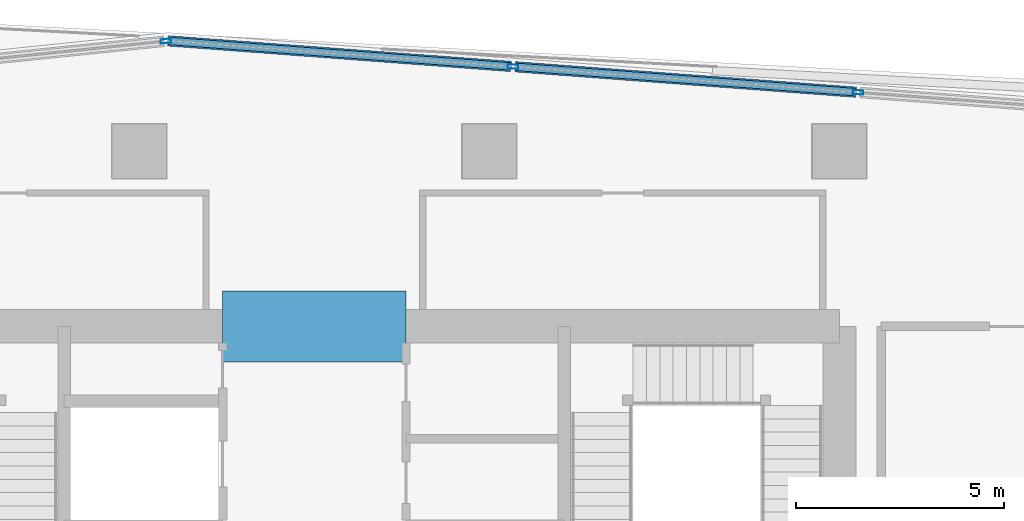
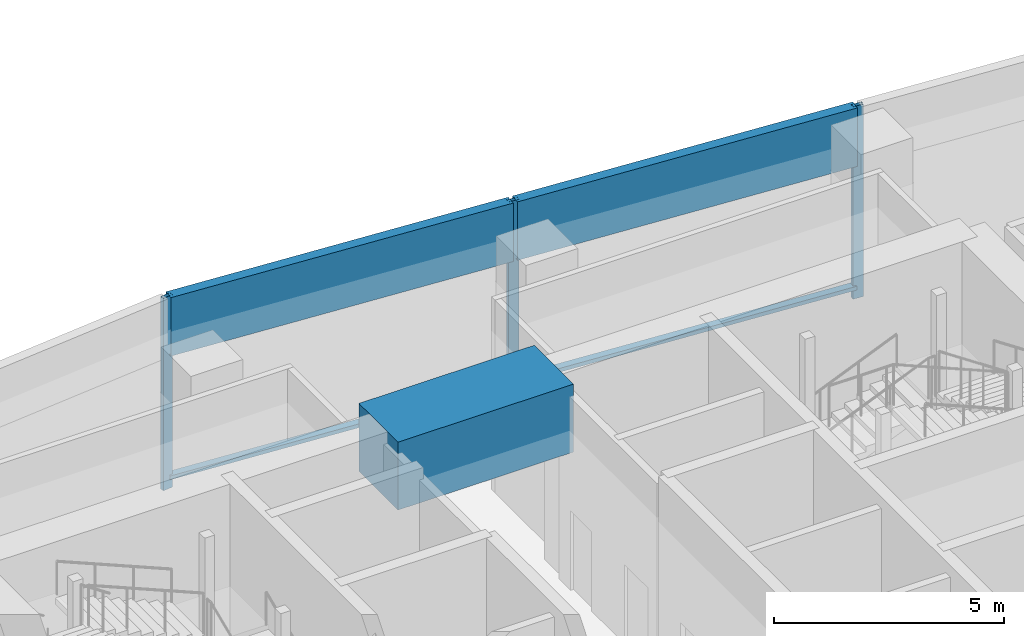
# One storey, part 9 of 22: 7 members, 1 beam, 2 elements without a shape of their own.
"""IFC4 building model written with IfcOpenShell, lengths in metres."""

from ifc_helpers import new_model, si_unit, direction, frame, origin, origin_2d, place, context, subcontext, project, spatial, rectangle, hollow_rectangle, extrude, material, material_profile, profile_set, type_object, element, aggregate, save


model = new_model("IFC4")

# Units and contexts
model_context = context("Model", 3, precision=1e-05, world=origin(), true_north=direction((0.0, 1.0)))
body_context = subcontext(model_context, "Body", "Model", "MODEL_VIEW")
ifc_project = project(units=[si_unit("LENGTHUNIT", "METRE"), si_unit("AREAUNIT", "SQUARE_METRE"), si_unit("VOLUMEUNIT", "CUBIC_METRE"), si_unit("PLANEANGLEUNIT", "RADIAN"), si_unit("MASSUNIT", "GRAM", prefix="KILO")], contexts=[model_context])

# Site, building, storey
site_placement = place(None, origin())
site = spatial("IfcSite", under=ifc_project, at=site_placement, CompositionType="ELEMENT")
building_placement = place(site_placement, origin())
building = spatial("IfcBuilding", under=site, at=building_placement, Name="Rekha Terrace Tower", CompositionType="ELEMENT")
storey_placement = place(building_placement, frame((0.0, 0.0, 291.35009765625)))
storey = spatial("IfcBuildingStorey", under=building, at=storey_placement, Name="L74", CompositionType="ELEMENT", Elevation=291.35009765625)

# Curtain wall, members
ifc_material_1 = material(Name="Aluminium framing", Category="aluminium")
curtain_wall_type = type_object("IfcCurtainWallType", Name="CW6 observation glazing", PredefinedType="USERDEFINED", material=ifc_material_1)
curtain_wall_1_placement = place(storey_placement, origin())
curtain_wall_1 = element("IfcCurtainWall", 1, at=curtain_wall_1_placement, inside=storey, type_object=curtain_wall_type, Name="CW6 observation curtain wall", ObjectType="OBSERVATION CURTAIN WALL", PredefinedType="USERDEFINED")
ifc_material_2 = material(Name="Aluminium mullion section", Category="aluminium")
ifc_material_profile_1 = material_profile(ifc_material_2, hollow_rectangle(XDim=0.10009765625, YDim=0.25, WallThickness=0.00390625, at=origin_2d()), Name="AL RHS 100x250")
ifc_profile_set_1 = profile_set([ifc_material_profile_1], Name="Aluminium mullion section")
member_type_1 = type_object("IfcMemberType", Name="CW6 mullion RHS 100 x 250", PredefinedType="MULLION", material=ifc_profile_set_1)
member_1_placement = place(storey_placement, frame((50.846923828125, 51.813720703125, 0.0), z_axis=(0.0, 0.0, 1.0), x_axis=(-0.074414111615, -0.997227426414, 0.0)))
member_1 = element("IfcMember", 2, at=member_1_placement, type_object=member_type_1, Name="CW6 mullion 2", PredefinedType="MULLION", context=body_context, shape_type="SweptSolid", body=[
    extrude(hollow_rectangle(XDim=0.10009765625, YDim=0.25, WallThickness=0.00390625, at=origin_2d()), origin(), (0.0, 0.0, 1.0), 5.099853515625),
])
member_2_placement = place(storey_placement, frame((42.56884765625, 52.431396484375, 0.0), z_axis=(0.0, 0.0, 1.0), x_axis=(-0.074414111615, -0.997227426414, 0.0)))
member_2 = element("IfcMember", 3, at=member_2_placement, type_object=member_type_1, Name="CW6 mullion 3", PredefinedType="MULLION", context=body_context, shape_type="SweptSolid", body=[
    extrude(hollow_rectangle(XDim=0.10009765625, YDim=0.25, WallThickness=0.00390625, at=origin_2d()), origin(), (0.0, 0.0, 1.0), 5.099853515625),
])

# Curtain wall, member
curtain_wall_2_placement = place(storey_placement, origin())
curtain_wall_2 = element("IfcCurtainWall", 4, at=curtain_wall_2_placement, inside=storey, type_object=curtain_wall_type, Name="CW6 observation curtain wall", ObjectType="OBSERVATION CURTAIN WALL", PredefinedType="USERDEFINED")
member_3_placement = place(storey_placement, frame((34.2412109375, 53.044189453125, 0.0), z_axis=(0.0, 0.0, 1.0), x_axis=(0.102505243618, -0.994732464048, 0.0)))
member_3 = element("IfcMember", 5, at=member_3_placement, type_object=member_type_1, Name="CW6 mullion 1", PredefinedType="MULLION", context=body_context, shape_type="SweptSolid", body=[
    extrude(hollow_rectangle(XDim=0.10009765625, YDim=0.25, WallThickness=0.00390625, at=origin_2d()), origin(), (0.0, 0.0, 1.0), 5.099853515625),
])
aggregate(curtain_wall_2, [member_3])

# Member
ifc_material_3 = material(Name="Insulated aluminium spandrel box", Category="aluminium")
ifc_material_profile_2 = material_profile(ifc_material_3, hollow_rectangle(XDim=0.25, YDim=1.550048828125, WallThickness=0.0029296875, at=origin_2d()), Name="AL SPANDREL BOX 250x1550")
ifc_profile_set_2 = profile_set([ifc_material_profile_2], Name="Insulated aluminium spandrel box")
member_type_2 = type_object("IfcMemberType", Name="CW6 spandrel transom 250 x 1550", PredefinedType="USERDEFINED", material=ifc_profile_set_2)
member_4_placement = place(storey_placement, frame((50.797119140625, 51.817626953125, 4.324951171875), z_axis=(-0.997229036621, 0.074392530001, 0.0), x_axis=(-0.074392530001, -0.997229036621, 0.0)))
member_4 = element("IfcMember", 6, at=member_4_placement, type_object=member_type_2, Name="CW6 spandrel transom 2", ObjectType="TRANSOM", PredefinedType="USERDEFINED", context=body_context, shape_type="SweptSolid", body=[
    extrude(hollow_rectangle(XDim=0.25, YDim=1.550048828125, WallThickness=0.0029296875, at=origin_2d()), origin(), (0.0, 0.0, 1.0), 8.201171875),
])

member_5_placement = place(storey_placement, frame((42.51904296875, 52.435302734375, 4.324951171875), z_axis=(-0.997227320344, 0.074415533058, 0.0), x_axis=(-0.074415533058, -0.997227320344, 0.0)))
member_5 = element("IfcMember", 7, at=member_5_placement, type_object=member_type_2, Name="CW6 spandrel transom 3", ObjectType="TRANSOM", PredefinedType="USERDEFINED", context=body_context, shape_type="SweptSolid", body=[
    extrude(hollow_rectangle(XDim=0.25, YDim=1.550048828125, WallThickness=0.0029296875, at=origin_2d()), origin(), (0.0, 0.0, 1.0), 8.251220703125),
])

ifc_material_4 = material(Name="Aluminium transom section", Category="aluminium")
ifc_material_profile_3 = material_profile(ifc_material_4, hollow_rectangle(XDim=0.179931640625, YDim=0.10009765625, WallThickness=0.0029296875, at=origin_2d()), Name="AL RHS 180x100")
ifc_profile_set_3 = profile_set([ifc_material_profile_3], Name="Aluminium transom section")
member_type_3 = type_object("IfcMemberType", Name="CW6 transom RHS 100 x 180", PredefinedType="USERDEFINED", material=ifc_profile_set_3)
member_6_placement = place(storey_placement, frame((50.797119140625, 51.817626953125, 0.2998046875), z_axis=(-0.997229036621, 0.074392530001, 0.0), x_axis=(-0.074392530001, -0.997229036621, 0.0)))
member_6 = element("IfcMember", 8, at=member_6_placement, type_object=member_type_3, Name="CW6 transom 2.2", ObjectType="TRANSOM", PredefinedType="USERDEFINED", context=body_context, shape_type="SweptSolid", body=[
    extrude(hollow_rectangle(XDim=0.179931640625, YDim=0.10009765625, WallThickness=0.0029296875, at=origin_2d()), origin(), (0.0, 0.0, 1.0), 8.201171875),
])

member_7_placement = place(storey_placement, frame((42.51904296875, 52.435302734375, 0.2998046875), z_axis=(-0.997227320344, 0.074415533058, 0.0), x_axis=(-0.074415533058, -0.997227320344, 0.0)))
member_7 = element("IfcMember", 9, at=member_7_placement, type_object=member_type_3, Name="CW6 transom 3.2", ObjectType="TRANSOM", PredefinedType="USERDEFINED", context=body_context, shape_type="SweptSolid", body=[
    extrude(hollow_rectangle(XDim=0.179931640625, YDim=0.10009765625, WallThickness=0.0029296875, at=origin_2d()), origin(), (0.0, 0.0, 1.0), 8.251220703125),
])

aggregate(curtain_wall_1, [member_1, member_2, member_6, member_4, member_7, member_5])

# Beam
ifc_material_5 = material(Name="Concrete M60", Category="concrete")
ifc_material_profile_4 = material_profile(ifc_material_5, rectangle(XDim=1.699951171875, YDim=1.800048828125, at=origin_2d()), Name="RC 1700x1800")
ifc_profile_set_4 = profile_set([ifc_material_profile_4], Name="Concrete M60")
beam_type = type_object("IfcBeamType", Name="LB5B 1700x1800 diagonally reinforced coupling beam", PredefinedType="LINTEL", material=ifc_profile_set_4)
beam_placement = place(storey_placement, frame((35.60009765625, 46.199951171875, 4.5), z_axis=(1.0, 0.0, 0.0), x_axis=(0.0, 1.0, 0.0)))
element("IfcBeam", 10, at=beam_placement, inside=storey, type_object=beam_type, Name="Coupling beam LB5B N L74", PredefinedType="LINTEL", context=body_context, shape_type="SweptSolid", body=[
    extrude(rectangle(XDim=1.699951171875, YDim=1.800048828125, at=origin_2d()), origin(), (0.0, 0.0, 1.0), 4.39990234375),
])

save(model, "model.ifc")
